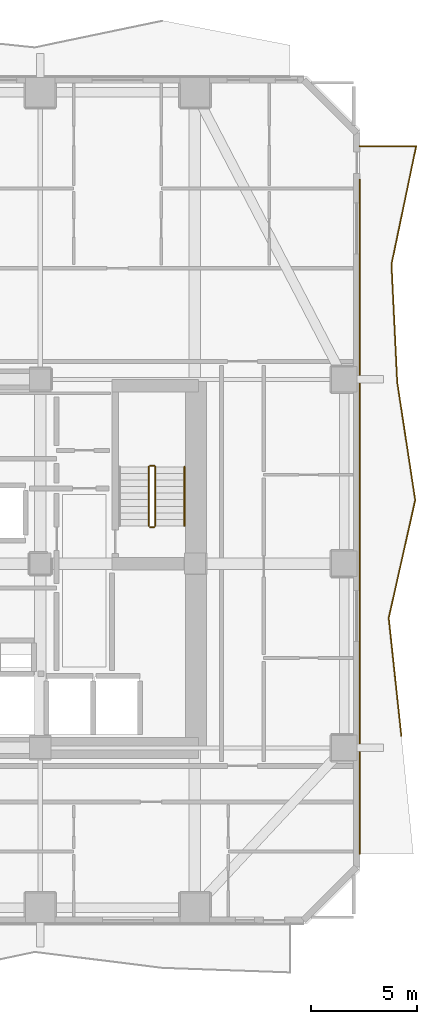
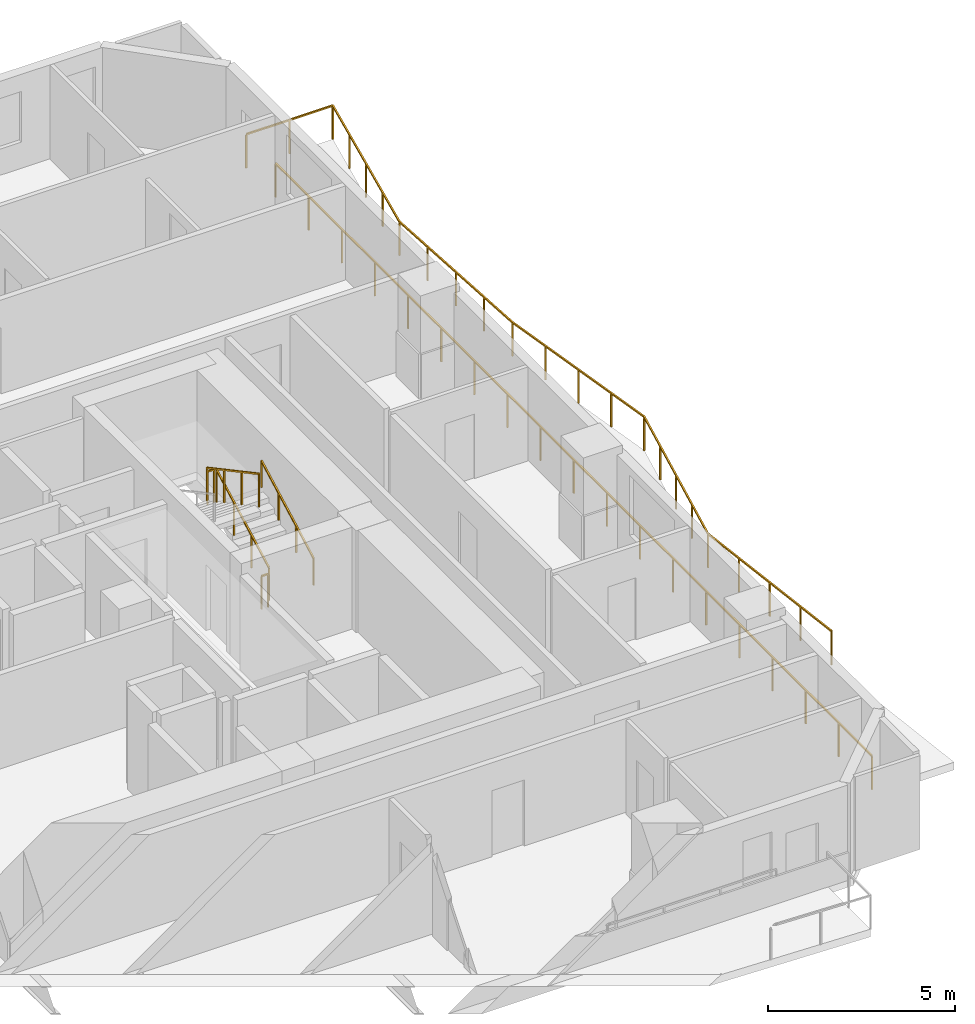
# One storey, part 11 of 12: 7 railings.
"""IFC4 building model written with IfcOpenShell, lengths in metres."""

from ifc_helpers import new_model, si_unit, direction, frame, origin, origin_2d, place, context, subcontext, project, spatial, rectangle, extrude, material, type_object, element, save


model = new_model("IFC4")

# Units and contexts
model_context = context("Model", 3, precision=1e-05, world=origin(), true_north=direction((0.0, 1.0)))
body_context = subcontext(model_context, "Body", "Model", "MODEL_VIEW")
ifc_project = project(units=[si_unit("LENGTHUNIT", "METRE"), si_unit("AREAUNIT", "SQUARE_METRE"), si_unit("VOLUMEUNIT", "CUBIC_METRE"), si_unit("PLANEANGLEUNIT", "RADIAN"), si_unit("MASSUNIT", "GRAM", prefix="KILO")], contexts=[model_context])

# Site, building, storey
site_placement = place(None, origin())
site = spatial("IfcSite", under=ifc_project, at=site_placement, CompositionType="ELEMENT")
building_placement = place(site_placement, origin())
building = spatial("IfcBuilding", under=site, at=building_placement, Name="Solanera Arch Residences", CompositionType="ELEMENT")
storey_placement = place(building_placement, frame((0.0, 0.0, 96.1201171875)))
storey = spatial("IfcBuildingStorey", under=building, at=storey_placement, Name="L27", CompositionType="ELEMENT", Elevation=96.1201171875)

# Railings
ifc_material_1 = material(Name="Steel S355 (ASTM A992 / A572 Grade 50)", Category="steel")
railing_type_1 = type_object("IfcRailingType", Name="Balustrade Railing BL-1100", PredefinedType="BALUSTRADE", material=ifc_material_1)
railing_1_placement = place(storey_placement, frame((46.2490234375, 22.56689453125, 0.0)))
element("IfcRailing", 1, at=railing_1_placement, inside=storey, type_object=railing_type_1, Name="L27 E Balcony Balustrade 1", PredefinedType="BALUSTRADE", context=body_context, shape_type="SweptSolid", body=[
    extrude(rectangle(XDim=0.048095703125, YDim=0.048095703125, at=origin_2d()), frame((0.0, 0.0, 1.09619140625), z_axis=(-0.106112704375, 0.994354108942, 0.0), x_axis=(-0.994354108942, -0.106112704375, 0.0)), (0.0, 0.0, 1.0), 5.59765625),
    extrude(rectangle(XDim=0.048095703125, YDim=0.048095703125, at=origin_2d()), frame((-0.593994140625, 5.566162109375, 1.09619140625), z_axis=(0.219249498416, 0.975668825701, 0.0), x_axis=(-0.975668825701, 0.219249498416, 0.0)), (0.0, 0.0, 1.0), 5.705810546875),
    extrude(rectangle(XDim=0.048095703125, YDim=0.048095703125, at=origin_2d()), frame((0.656982421875, 11.133056640625, 1.09619140625), z_axis=(-0.150949498654, 0.988541475537, 0.0), x_axis=(-0.988541475537, -0.150949498654, 0.0)), (0.0, 0.0, 1.0), 5.631591796875),
    extrude(rectangle(XDim=0.048095703125, YDim=0.048095703125, at=origin_2d()), frame((-0.193115234375, 16.7001953125, 1.09619140625), z_axis=(-0.048456039989, 0.998825316153, 0.0), x_axis=(-0.998825316153, -0.048456039989, 0.0)), (0.0, 0.0, 1.0), 5.572509765625),
    extrude(rectangle(XDim=0.048095703125, YDim=0.048095703125, at=origin_2d()), frame((-0.463134765625, 22.26611328125, 1.09619140625), z_axis=(0.204348539761, 0.978898194041, 0.0), x_axis=(-0.978898194041, 0.204348539761, 0.0)), (0.0, 0.0, 1.0), 5.68701171875),
    extrude(rectangle(XDim=0.048095703125, YDim=0.048095703125, at=origin_2d()), frame((0.698974609375, 27.8330078125, 1.09619140625), z_axis=(-1.0, 0.0, 0.0), x_axis=(0.0, -1.0, 0.0)), (0.0, 0.0, 1.0), 2.66796875),
    extrude(rectangle(XDim=0.0419921875, YDim=0.0419921875, at=origin_2d()), origin(), (0.0, 0.0, 1.0), 1.072021484375),
    extrude(rectangle(XDim=0.0419921875, YDim=0.0419921875, at=origin_2d()), frame((-0.1484375, 1.3916015625, 0.0)), (0.0, 0.0, 1.0), 1.072021484375),
    extrude(rectangle(XDim=0.0419921875, YDim=0.0419921875, at=origin_2d()), frame((-0.296875, 2.783203125, 0.0)), (0.0, 0.0, 1.0), 1.072021484375),
    extrude(rectangle(XDim=0.0419921875, YDim=0.0419921875, at=origin_2d()), frame((-0.445556640625, 4.174560546875, 0.0)), (0.0, 0.0, 1.0), 1.072021484375),
    extrude(rectangle(XDim=0.0419921875, YDim=0.0419921875, at=origin_2d()), frame((-0.593994140625, 5.566162109375, 0.0)), (0.0, 0.0, 1.0), 1.072021484375),
    extrude(rectangle(XDim=0.0419921875, YDim=0.0419921875, at=origin_2d()), frame((-0.28125, 6.9580078125, 0.0)), (0.0, 0.0, 1.0), 1.072021484375),
    extrude(rectangle(XDim=0.0419921875, YDim=0.0419921875, at=origin_2d()), frame((0.031494140625, 8.349609375, 0.0)), (0.0, 0.0, 1.0), 1.072021484375),
    extrude(rectangle(XDim=0.0419921875, YDim=0.0419921875, at=origin_2d()), frame((0.34423828125, 9.7412109375, 0.0)), (0.0, 0.0, 1.0), 1.072021484375),
    extrude(rectangle(XDim=0.0419921875, YDim=0.0419921875, at=origin_2d()), frame((0.656982421875, 11.133056640625, 0.0)), (0.0, 0.0, 1.0), 1.072021484375),
    extrude(rectangle(XDim=0.0419921875, YDim=0.0419921875, at=origin_2d()), frame((0.4443359375, 12.52490234375, 0.0)), (0.0, 0.0, 1.0), 1.072021484375),
    extrude(rectangle(XDim=0.0419921875, YDim=0.0419921875, at=origin_2d()), frame((0.23193359375, 13.91650390625, 0.0)), (0.0, 0.0, 1.0), 1.072021484375),
    extrude(rectangle(XDim=0.0419921875, YDim=0.0419921875, at=origin_2d()), frame((0.01953125, 15.308349609375, 0.0)), (0.0, 0.0, 1.0), 1.072021484375),
    extrude(rectangle(XDim=0.0419921875, YDim=0.0419921875, at=origin_2d()), frame((-0.193115234375, 16.7001953125, 0.0)), (0.0, 0.0, 1.0), 1.072021484375),
    extrude(rectangle(XDim=0.0419921875, YDim=0.0419921875, at=origin_2d()), frame((-0.2607421875, 18.091796875, 0.0)), (0.0, 0.0, 1.0), 1.072021484375),
    extrude(rectangle(XDim=0.0419921875, YDim=0.0419921875, at=origin_2d()), frame((-0.328125, 19.483154296875, 0.0)), (0.0, 0.0, 1.0), 1.072021484375),
    extrude(rectangle(XDim=0.0419921875, YDim=0.0419921875, at=origin_2d()), frame((-0.3955078125, 20.87451171875, 0.0)), (0.0, 0.0, 1.0), 1.072021484375),
    extrude(rectangle(XDim=0.0419921875, YDim=0.0419921875, at=origin_2d()), frame((-0.463134765625, 22.26611328125, 0.0)), (0.0, 0.0, 1.0), 1.072021484375),
    extrude(rectangle(XDim=0.0419921875, YDim=0.0419921875, at=origin_2d()), frame((-0.172607421875, 23.65771484375, 0.0)), (0.0, 0.0, 1.0), 1.072021484375),
    extrude(rectangle(XDim=0.0419921875, YDim=0.0419921875, at=origin_2d()), frame((0.117919921875, 25.049560546875, 0.0)), (0.0, 0.0, 1.0), 1.072021484375),
    extrude(rectangle(XDim=0.0419921875, YDim=0.0419921875, at=origin_2d()), frame((0.408447265625, 26.44140625, 0.0)), (0.0, 0.0, 1.0), 1.072021484375),
    extrude(rectangle(XDim=0.0419921875, YDim=0.0419921875, at=origin_2d()), frame((0.698974609375, 27.8330078125, 0.0)), (0.0, 0.0, 1.0), 1.072021484375),
    extrude(rectangle(XDim=0.0419921875, YDim=0.0419921875, at=origin_2d()), frame((-0.635009765625, 27.8330078125, 0.0)), (0.0, 0.0, 1.0), 1.072021484375),
    extrude(rectangle(XDim=0.0419921875, YDim=0.0419921875, at=origin_2d()), frame((-1.968994140625, 27.8330078125, 0.0)), (0.0, 0.0, 1.0), 1.072021484375),
])
railing_2_placement = place(storey_placement, frame((44.280029296875, 48.833984375, 0.0)))
element("IfcRailing", 2, at=railing_2_placement, inside=storey, type_object=railing_type_1, Name="L27 E Balcony Balustrade 2", PredefinedType="BALUSTRADE", context=body_context, shape_type="SweptSolid", body=[
    extrude(rectangle(XDim=0.048095703125, YDim=0.048095703125, at=origin_2d()), frame((0.0, 0.0, 1.09619140625), z_axis=(0.0, -1.0, 0.0), x_axis=(1.0, 0.0, 0.0)), (0.0, 0.0, 1.0), 31.833984375),
    extrude(rectangle(XDim=0.0419921875, YDim=0.0419921875, at=origin_2d()), origin(), (0.0, 0.0, 1.0), 1.072021484375),
    extrude(rectangle(XDim=0.0419921875, YDim=0.0419921875, at=origin_2d()), frame((0.0, -1.7685546875, 0.0)), (0.0, 0.0, 1.0), 1.072021484375),
    extrude(rectangle(XDim=0.0419921875, YDim=0.0419921875, at=origin_2d()), frame((0.0, -3.537109375, 0.0)), (0.0, 0.0, 1.0), 1.072021484375),
    extrude(rectangle(XDim=0.0419921875, YDim=0.0419921875, at=origin_2d()), frame((0.0, -5.3056640625, 0.0)), (0.0, 0.0, 1.0), 1.072021484375),
    extrude(rectangle(XDim=0.0419921875, YDim=0.0419921875, at=origin_2d()), frame((0.0, -7.07421875, 0.0)), (0.0, 0.0, 1.0), 1.072021484375),
    extrude(rectangle(XDim=0.0419921875, YDim=0.0419921875, at=origin_2d()), frame((0.0, -8.8427734375, 0.0)), (0.0, 0.0, 1.0), 1.072021484375),
    extrude(rectangle(XDim=0.0419921875, YDim=0.0419921875, at=origin_2d()), frame((0.0, -10.611328125, 0.0)), (0.0, 0.0, 1.0), 1.072021484375),
    extrude(rectangle(XDim=0.0419921875, YDim=0.0419921875, at=origin_2d()), frame((0.0, -12.3798828125, 0.0)), (0.0, 0.0, 1.0), 1.072021484375),
    extrude(rectangle(XDim=0.0419921875, YDim=0.0419921875, at=origin_2d()), frame((0.0, -14.1484375, 0.0)), (0.0, 0.0, 1.0), 1.072021484375),
    extrude(rectangle(XDim=0.0419921875, YDim=0.0419921875, at=origin_2d()), frame((0.0, -15.9169921875, 0.0)), (0.0, 0.0, 1.0), 1.072021484375),
    extrude(rectangle(XDim=0.0419921875, YDim=0.0419921875, at=origin_2d()), frame((0.0, -17.685546875, 0.0)), (0.0, 0.0, 1.0), 1.072021484375),
    extrude(rectangle(XDim=0.0419921875, YDim=0.0419921875, at=origin_2d()), frame((0.0, -19.4541015625, 0.0)), (0.0, 0.0, 1.0), 1.072021484375),
    extrude(rectangle(XDim=0.0419921875, YDim=0.0419921875, at=origin_2d()), frame((0.0, -21.22265625, 0.0)), (0.0, 0.0, 1.0), 1.072021484375),
    extrude(rectangle(XDim=0.0419921875, YDim=0.0419921875, at=origin_2d()), frame((0.0, -22.9912109375, 0.0)), (0.0, 0.0, 1.0), 1.072021484375),
    extrude(rectangle(XDim=0.0419921875, YDim=0.0419921875, at=origin_2d()), frame((0.0, -24.759765625, 0.0)), (0.0, 0.0, 1.0), 1.072021484375),
    extrude(rectangle(XDim=0.0419921875, YDim=0.0419921875, at=origin_2d()), frame((0.0, -26.5283203125, 0.0)), (0.0, 0.0, 1.0), 1.072021484375),
    extrude(rectangle(XDim=0.0419921875, YDim=0.0419921875, at=origin_2d()), frame((0.0, -28.296875, 0.0)), (0.0, 0.0, 1.0), 1.072021484375),
    extrude(rectangle(XDim=0.0419921875, YDim=0.0419921875, at=origin_2d()), frame((0.0, -30.0654296875, 0.0)), (0.0, 0.0, 1.0), 1.072021484375),
    extrude(rectangle(XDim=0.0419921875, YDim=0.0419921875, at=origin_2d()), frame((0.0, -31.833984375, 0.0)), (0.0, 0.0, 1.0), 1.072021484375),
])
ifc_material_2 = material(Name="Steel S355 (ASTM A992 / A572 Grade 50)", Category="steel")
railing_type_2 = type_object("IfcRailingType", Name="Stair Guardrail GR-1100", PredefinedType="GUARDRAIL", material=ifc_material_2)
railing_3_placement = place(storey_placement, frame((34.6298828125, 32.47998046875, 0.15087890625)))
element("IfcRailing", 3, at=railing_3_placement, inside=storey, type_object=railing_type_2, Name="L27 ST-T2 stair guard 1", PredefinedType="GUARDRAIL", context=body_context, shape_type="SweptSolid", body=[
    extrude(rectangle(XDim=0.048095703125, YDim=0.048095703125, at=origin_2d()), frame((0.0, 0.0, 1.076171875), z_axis=(0.0, 0.881580869306, 0.472033018838), x_axis=(-1.0, 0.0, 0.0)), (0.0, 0.0, 1.0), 3.164794921875),
    extrude(rectangle(XDim=0.0419921875, YDim=0.0419921875, at=origin_2d()), origin(), (0.0, 0.0, 1.0), 1.052001953125),
    extrude(rectangle(XDim=0.0419921875, YDim=0.0419921875, at=origin_2d()), frame((0.0, 0.929931640625, 0.498046875)), (0.0, 0.0, 1.0), 1.052001953125),
    extrude(rectangle(XDim=0.0419921875, YDim=0.0419921875, at=origin_2d()), frame((0.0, 1.860107421875, 0.995849609375)), (0.0, 0.0, 1.0), 1.052001953125),
    extrude(rectangle(XDim=0.0419921875, YDim=0.0419921875, at=origin_2d()), frame((0.0, 2.7900390625, 1.493896484375)), (0.0, 0.0, 1.0), 1.052001953125),
])
railing_4_placement = place(storey_placement, frame((34.580078125, 35.320068359375, 1.644775390625)))
element("IfcRailing", 4, at=railing_4_placement, inside=storey, type_object=railing_type_2, Name="L27 ST-T2 stair guard 2", PredefinedType="GUARDRAIL", context=body_context, shape_type="SweptSolid", body=[
    extrude(rectangle(XDim=0.048095703125, YDim=0.048095703125, at=origin_2d()), frame((0.0, 0.0, 1.076171875), z_axis=(-1.0, 0.0, 0.0), x_axis=(0.0, -1.0, 0.0)), (0.0, 0.0, 1.0), 0.2001953125),
    extrude(rectangle(XDim=0.0419921875, YDim=0.0419921875, at=origin_2d()), origin(), (0.0, 0.0, 1.0), 1.052001953125),
    extrude(rectangle(XDim=0.0419921875, YDim=0.0419921875, at=origin_2d()), frame((-0.2001953125, 0.0, 0.0)), (0.0, 0.0, 1.0), 1.052001953125),
])
railing_5_placement = place(storey_placement, frame((34.330078125, 35.27001953125, 1.810791015625)))
element("IfcRailing", 5, at=railing_5_placement, inside=storey, type_object=railing_type_2, Name="L27 ST-T2 stair guard 3", PredefinedType="GUARDRAIL", context=body_context, shape_type="SweptSolid", body=[
    extrude(rectangle(XDim=0.048095703125, YDim=0.048095703125, at=origin_2d()), frame((0.0, 0.0, 1.076171875), z_axis=(0.0, -0.881548766853, 0.472092969298), x_axis=(1.0, 0.0, 0.0)), (0.0, 0.0, 1.0), 3.1650390625),
    extrude(rectangle(XDim=0.0419921875, YDim=0.0419921875, at=origin_2d()), origin(), (0.0, 0.0, 1.0), 1.052001953125),
    extrude(rectangle(XDim=0.0419921875, YDim=0.0419921875, at=origin_2d()), frame((0.0, -0.929931640625, 0.498046875)), (0.0, 0.0, 1.0), 1.052001953125),
    extrude(rectangle(XDim=0.0419921875, YDim=0.0419921875, at=origin_2d()), frame((0.0, -1.860107421875, 0.99609375)), (0.0, 0.0, 1.0), 1.052001953125),
    extrude(rectangle(XDim=0.0419921875, YDim=0.0419921875, at=origin_2d()), frame((0.0, -2.7900390625, 1.494140625)), (0.0, 0.0, 1.0), 1.052001953125),
])
railing_6_placement = place(storey_placement, frame((34.580078125, 32.429931640625, -0.01513671875)))
element("IfcRailing", 6, at=railing_6_placement, inside=storey, type_object=railing_type_2, Name="L27 ST-T2 stair guard 4", PredefinedType="GUARDRAIL", context=body_context, shape_type="SweptSolid", body=[
    extrude(rectangle(XDim=0.048095703125, YDim=0.048095703125, at=origin_2d()), frame((0.0, 0.0, 1.076171875), z_axis=(-1.0, 0.0, 0.0), x_axis=(0.0, -1.0, 0.0)), (0.0, 0.0, 1.0), 0.2001953125),
    extrude(rectangle(XDim=0.0419921875, YDim=0.0419921875, at=origin_2d()), origin(), (0.0, 0.0, 1.0), 1.052001953125),
    extrude(rectangle(XDim=0.0419921875, YDim=0.0419921875, at=origin_2d()), frame((-0.2001953125, 0.0, 0.0)), (0.0, 0.0, 1.0), 1.052001953125),
])
ifc_material_3 = material(Name="Steel S355 (ASTM A992 / A572 Grade 50)", Category="steel")
railing_type_3 = type_object("IfcRailingType", Name="Stair Wall Handrail HR-920", PredefinedType="HANDRAIL", material=ifc_material_3)
railing_7_placement = place(storey_placement, frame((36.010009765625, 32.47998046875, 0.165771484375)))
element("IfcRailing", 7, at=railing_7_placement, inside=storey, type_object=railing_type_3, Name="L27 ST-T2 stair handrail 1", PredefinedType="HANDRAIL", context=body_context, shape_type="SweptSolid", body=[
    extrude(rectangle(XDim=0.048095703125, YDim=0.048095703125, at=origin_2d()), frame((0.0, 0.0, 0.8759765625), z_axis=(0.0, 0.881548766853, 0.472092969298), x_axis=(-1.0, 0.0, 0.0)), (0.0, 0.0, 1.0), 3.1650390625),
    extrude(rectangle(XDim=0.0419921875, YDim=0.0419921875, at=origin_2d()), origin(), (0.0, 0.0, 1.0), 0.851806640625),
    extrude(rectangle(XDim=0.0419921875, YDim=0.0419921875, at=origin_2d()), frame((0.0, 0.929931640625, 0.498046875)), (0.0, 0.0, 1.0), 0.851806640625),
    extrude(rectangle(XDim=0.0419921875, YDim=0.0419921875, at=origin_2d()), frame((0.0, 1.860107421875, 0.99609375)), (0.0, 0.0, 1.0), 0.851806640625),
    extrude(rectangle(XDim=0.0419921875, YDim=0.0419921875, at=origin_2d()), frame((0.0, 2.7900390625, 1.494140625)), (0.0, 0.0, 1.0), 0.851806640625),
])

save(model, "model.ifc")
